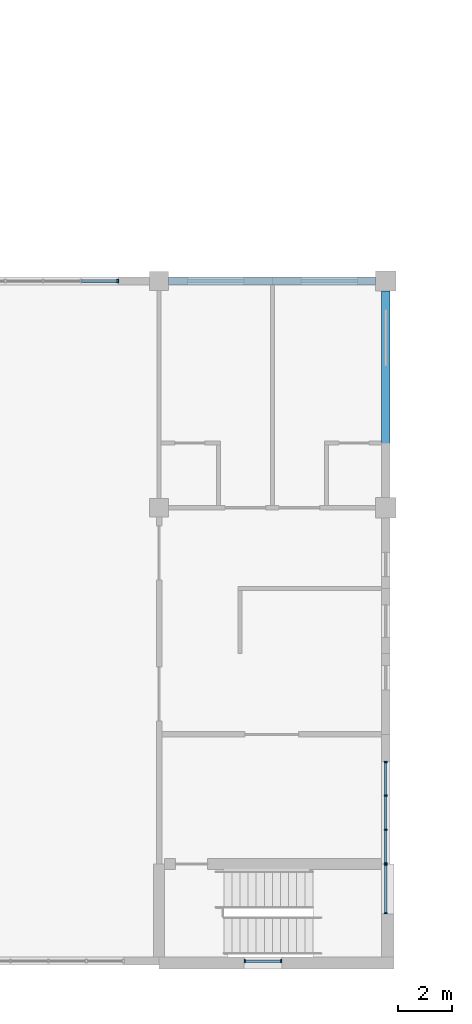
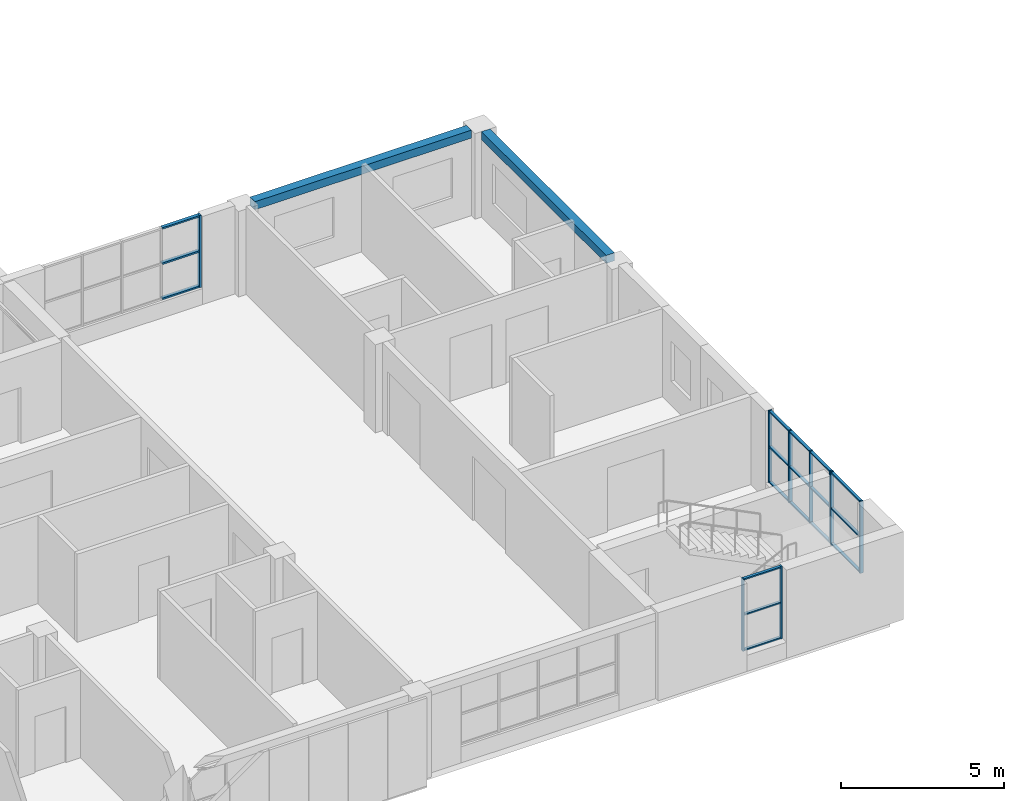
# One storey, part 5 of 48: 27 members, 2 beams, 4 elements without a shape of their own.
"""IFC4 building model written with IfcOpenShell, lengths in metres."""

from ifc_helpers import new_model, si_unit, direction, frame, origin, origin_2d, place, context, subcontext, project, spatial, rectangle, extrude, material, material_profile, profile_set, type_object, element, aggregate, save


model = new_model("IFC4")

# Units and contexts
model_context = context("Model", 3, precision=1e-05, world=origin(), true_north=direction((0.0, 1.0)))
body_context = subcontext(model_context, "Body", "Model", "MODEL_VIEW")
ifc_project = project(units=[si_unit("LENGTHUNIT", "METRE"), si_unit("AREAUNIT", "SQUARE_METRE"), si_unit("VOLUMEUNIT", "CUBIC_METRE"), si_unit("PLANEANGLEUNIT", "RADIAN"), si_unit("MASSUNIT", "GRAM", prefix="KILO")], contexts=[model_context])

# Site, building, storey
site_placement = place(None, origin())
site = spatial("IfcSite", under=ifc_project, at=site_placement, CompositionType="ELEMENT")
building_placement = place(site_placement, origin())
building = spatial("IfcBuilding", under=site, at=building_placement, Name="Yavir Park General Hospital", CompositionType="ELEMENT")
storey_placement = place(building_placement, frame((0.0, 0.0, 26.10009765625)))
storey = spatial("IfcBuildingStorey", under=building, at=storey_placement, Name="L06", CompositionType="ELEMENT", Elevation=26.10009765625)

# Curtain wall, members
ifc_material_1 = material(Name="Aluminium curtain wall frame with insulated glazing", Category="aluminium")
curtain_wall_type_1 = type_object("IfcCurtainWallType", Name="Day room pocket glazing, ward floors, 2700 high, 1400 module", PredefinedType="NOTDEFINED", material=ifc_material_1)
curtain_wall_1_placement = place(storey_placement, origin())
curtain_wall_1 = element("IfcCurtainWall", 1, at=curtain_wall_1_placement, inside=storey, type_object=curtain_wall_type_1, Name="CW65 L06-010", PredefinedType="NOTDEFINED")
ifc_material_2 = material(Name="Aluminium", Category="aluminium")
ifc_material_profile_1 = material_profile(ifc_material_2, rectangle(XDim=0.139892578125, YDim=0.06005859375, at=origin_2d()), Name="AL 60x140")
ifc_profile_set_1 = profile_set([ifc_material_profile_1], Name="Aluminium")
member_type_1 = type_object("IfcMemberType", Name="Day room pocket glazing, ward floors, 2700 high mullion 60 x 140", PredefinedType="MULLION", material=ifc_profile_set_1)
member_1_placement = place(storey_placement, frame((32.070068359375, 25.199951171875, 0.599853515625), z_axis=(0.0, 0.0, 1.0), x_axis=(0.0, 1.0, 0.0)))
member_1 = element("IfcMember", 2, at=member_1_placement, type_object=member_type_1, Name="CW65 mullion 5", PredefinedType="MULLION", context=body_context, shape_type="SweptSolid", body=[
    extrude(rectangle(XDim=0.139892578125, YDim=0.06005859375, at=origin_2d()), origin(), (0.0, 0.0, 1.0), 2.699951171875),
])
ifc_material_3 = material(Name="Aluminium", Category="aluminium")
ifc_material_profile_2 = material_profile(ifc_material_3, rectangle(XDim=0.1201171875, YDim=0.06005859375, at=origin_2d()), Name="AL 120x60")
ifc_profile_set_2 = profile_set([ifc_material_profile_2], Name="Aluminium")
member_type_2 = type_object("IfcMemberType", Name="Day room pocket glazing, ward floors, 2700 high transom 60 x 120", PredefinedType="MULLION", material=ifc_profile_set_2)
member_2_placement = place(storey_placement, frame((30.72998046875, 25.199951171875, 0.6298828125), z_axis=(1.0, 0.0, 0.0), x_axis=(0.0, 1.0, 0.0)))
member_2 = element("IfcMember", 3, at=member_2_placement, type_object=member_type_2, Name="CW65 transom 4.1", PredefinedType="MULLION", context=body_context, shape_type="SweptSolid", body=[
    extrude(rectangle(XDim=0.1201171875, YDim=0.06005859375, at=origin_2d()), origin(), (0.0, 0.0, 1.0), 1.31005859375),
])
member_3_placement = place(storey_placement, frame((30.72998046875, 25.199951171875, 1.949951171875), z_axis=(1.0, 0.0, 0.0), x_axis=(0.0, 1.0, 0.0)))
member_3 = element("IfcMember", 4, at=member_3_placement, type_object=member_type_2, Name="CW65 transom 4.2", PredefinedType="MULLION", context=body_context, shape_type="SweptSolid", body=[
    extrude(rectangle(XDim=0.1201171875, YDim=0.06005859375, at=origin_2d()), origin(), (0.0, 0.0, 1.0), 1.31005859375),
])
member_4_placement = place(storey_placement, frame((30.72998046875, 25.199951171875, 3.27001953125), z_axis=(1.0, 0.0, 0.0), x_axis=(0.0, 1.0, 0.0)))
member_4 = element("IfcMember", 5, at=member_4_placement, type_object=member_type_2, Name="CW65 transom 4.3", PredefinedType="MULLION", context=body_context, shape_type="SweptSolid", body=[
    extrude(rectangle(XDim=0.1201171875, YDim=0.06005859375, at=origin_2d()), origin(), (0.0, 0.0, 1.0), 1.31005859375),
])
aggregate(curtain_wall_1, [member_1, member_2, member_3, member_4])

# Beams
ifc_material_4 = material(Name="Concrete C35/45", Category="concrete")
ifc_material_profile_3 = material_profile(ifc_material_4, rectangle(XDim=0.300048828125, YDim=0.300048828125, at=origin_2d()), Name="RC300x300")
ifc_profile_set_3 = profile_set([ifc_material_profile_3], Name="Concrete C35/45")
beam_type = type_object("IfcBeamType", Name="RC BEAM 300x300 edge beam", PredefinedType="BEAM", material=ifc_profile_set_3)
beam_1_placement = place(storey_placement, frame((33.949951171875, 25.199951171875, 3.0498046875), z_axis=(1.0, 0.0, 0.0), x_axis=(0.0, 1.0, 0.0)))
element("IfcBeam", 6, at=beam_1_placement, inside=storey, type_object=beam_type, Name="B:EDGE:L06:011", PredefinedType="BEAM", context=body_context, shape_type="SweptSolid", body=[
    extrude(rectangle(XDim=0.300048828125, YDim=0.300048828125, at=origin_2d()), origin(), (0.0, 0.0, 1.0), 7.675048828125),
])
beam_2_placement = place(storey_placement, frame((42.0, 17.175048828125, 3.0498046875), z_axis=(0.0, 1.0, 0.0), x_axis=(-1.0, 0.0, 0.0)))
element("IfcBeam", 7, at=beam_2_placement, inside=storey, type_object=beam_type, Name="B:EDGE:L06:035", PredefinedType="BEAM", context=body_context, shape_type="SweptSolid", body=[
    extrude(rectangle(XDim=0.300048828125, YDim=0.300048828125, at=origin_2d()), origin(), (0.0, 0.0, 1.0), 7.64990234375),
])

# Curtain wall, members
ifc_material_5 = material(Name="Aluminium curtain wall frame with insulated glazing", Category="aluminium")
curtain_wall_type_2 = type_object("IfcCurtainWallType", Name="Stair light slot, ward floors, 2700 high, 1400 module", PredefinedType="NOTDEFINED", material=ifc_material_5)
curtain_wall_2_placement = place(storey_placement, origin())
curtain_wall_2 = element("IfcCurtainWall", 8, at=curtain_wall_2_placement, inside=storey, type_object=curtain_wall_type_2, Name="CW64 L06-003", PredefinedType="NOTDEFINED")
ifc_material_6 = material(Name="Aluminium", Category="aluminium")
ifc_material_profile_4 = material_profile(ifc_material_6, rectangle(XDim=0.1201171875, YDim=0.050048828125, at=origin_2d()), Name="AL 50x120")
ifc_profile_set_4 = profile_set([ifc_material_profile_4], Name="Aluminium")
member_type_3 = type_object("IfcMemberType", Name="Stair light slot, ward floors, 2700 high mullion 50 x 120", PredefinedType="MULLION", material=ifc_profile_set_4)
member_5_placement = place(storey_placement, frame((36.77490234375, 0.0, 0.599853515625), z_axis=(0.0, 0.0, 1.0), x_axis=(0.0, 1.0, 0.0)))
member_5 = element("IfcMember", 9, at=member_5_placement, type_object=member_type_3, Name="CW64 mullion 1", PredefinedType="MULLION", context=body_context, shape_type="SweptSolid", body=[
    extrude(rectangle(XDim=0.1201171875, YDim=0.050048828125, at=origin_2d()), origin(), (0.0, 0.0, 1.0), 2.699951171875),
])
member_6_placement = place(storey_placement, frame((38.125, 0.0, 0.599853515625), z_axis=(0.0, 0.0, 1.0), x_axis=(0.0, 1.0, 0.0)))
member_6 = element("IfcMember", 10, at=member_6_placement, type_object=member_type_3, Name="CW64 mullion 2", PredefinedType="MULLION", context=body_context, shape_type="SweptSolid", body=[
    extrude(rectangle(XDim=0.1201171875, YDim=0.050048828125, at=origin_2d()), origin(), (0.0, 0.0, 1.0), 2.699951171875),
])

curtain_wall_3_placement = place(storey_placement, origin())
curtain_wall_3 = element("IfcCurtainWall", 11, at=curtain_wall_3_placement, inside=storey, type_object=curtain_wall_type_2, Name="CW64 L06-027", PredefinedType="NOTDEFINED")
member_7_placement = place(storey_placement, frame((42.0, 1.77490234375, 0.599853515625), z_axis=(0.0, 0.0, 1.0), x_axis=(-1.0, 0.0, 0.0)))
member_7 = element("IfcMember", 12, at=member_7_placement, type_object=member_type_3, Name="CW64 mullion 1", PredefinedType="MULLION", context=body_context, shape_type="SweptSolid", body=[
    extrude(rectangle(XDim=0.1201171875, YDim=0.050048828125, at=origin_2d()), origin(), (0.0, 0.0, 1.0), 2.699951171875),
])
member_8_placement = place(storey_placement, frame((42.0, 3.574951171875, 0.599853515625), z_axis=(0.0, 0.0, 1.0), x_axis=(-1.0, 0.0, 0.0)))
member_8 = element("IfcMember", 13, at=member_8_placement, type_object=member_type_3, Name="CW64 mullion 2", PredefinedType="MULLION", context=body_context, shape_type="SweptSolid", body=[
    extrude(rectangle(XDim=0.1201171875, YDim=0.050048828125, at=origin_2d()), origin(), (0.0, 0.0, 1.0), 2.699951171875),
])

# Member
ifc_material_7 = material(Name="Aluminium", Category="aluminium")
ifc_material_profile_5 = material_profile(ifc_material_7, rectangle(XDim=0.10009765625, YDim=0.050048828125, at=origin_2d()), Name="AL 100x50")
ifc_profile_set_5 = profile_set([ifc_material_profile_5], Name="Aluminium")
member_type_4 = type_object("IfcMemberType", Name="Stair light slot, ward floors, 2700 high transom 50 x 100", PredefinedType="MULLION", material=ifc_profile_set_5)
member_9_placement = place(storey_placement, frame((36.800048828125, 0.0, 0.625), z_axis=(1.0, 0.0, 0.0), x_axis=(0.0, 1.0, 0.0)))
member_9 = element("IfcMember", 14, at=member_9_placement, type_object=member_type_4, Name="CW64 transom 1.1", PredefinedType="MULLION", context=body_context, shape_type="SweptSolid", body=[
    extrude(rectangle(XDim=0.10009765625, YDim=0.050048828125, at=origin_2d()), origin(), (0.0, 0.0, 1.0), 1.300048828125),
])

member_10_placement = place(storey_placement, frame((36.800048828125, 0.0, 1.949951171875), z_axis=(1.0, 0.0, 0.0), x_axis=(0.0, 1.0, 0.0)))
member_10 = element("IfcMember", 15, at=member_10_placement, type_object=member_type_4, Name="CW64 transom 1.2", PredefinedType="MULLION", context=body_context, shape_type="SweptSolid", body=[
    extrude(rectangle(XDim=0.10009765625, YDim=0.050048828125, at=origin_2d()), origin(), (0.0, 0.0, 1.0), 1.300048828125),
])

member_11_placement = place(storey_placement, frame((36.800048828125, 0.0, 3.27490234375), z_axis=(1.0, 0.0, 0.0), x_axis=(0.0, 1.0, 0.0)))
member_11 = element("IfcMember", 16, at=member_11_placement, type_object=member_type_4, Name="CW64 transom 1.3", PredefinedType="MULLION", context=body_context, shape_type="SweptSolid", body=[
    extrude(rectangle(XDim=0.10009765625, YDim=0.050048828125, at=origin_2d()), origin(), (0.0, 0.0, 1.0), 1.300048828125),
])

aggregate(curtain_wall_2, [member_5, member_6, member_9, member_10, member_11])

member_12_placement = place(storey_placement, frame((42.0, 1.800048828125, 0.625), z_axis=(0.0, 1.0, 0.0), x_axis=(-1.0, 0.0, 0.0)))
member_12 = element("IfcMember", 17, at=member_12_placement, type_object=member_type_4, Name="CW64 transom 1.1", PredefinedType="MULLION", context=body_context, shape_type="SweptSolid", body=[
    extrude(rectangle(XDim=0.10009765625, YDim=0.050048828125, at=origin_2d()), origin(), (0.0, 0.0, 1.0), 1.75),
])

member_13_placement = place(storey_placement, frame((42.0, 1.800048828125, 1.949951171875), z_axis=(0.0, 1.0, 0.0), x_axis=(-1.0, 0.0, 0.0)))
member_13 = element("IfcMember", 18, at=member_13_placement, type_object=member_type_4, Name="CW64 transom 1.2", PredefinedType="MULLION", context=body_context, shape_type="SweptSolid", body=[
    extrude(rectangle(XDim=0.10009765625, YDim=0.050048828125, at=origin_2d()), origin(), (0.0, 0.0, 1.0), 1.75),
])

member_14_placement = place(storey_placement, frame((42.0, 1.800048828125, 3.27490234375), z_axis=(0.0, 1.0, 0.0), x_axis=(-1.0, 0.0, 0.0)))
member_14 = element("IfcMember", 19, at=member_14_placement, type_object=member_type_4, Name="CW64 transom 1.3", PredefinedType="MULLION", context=body_context, shape_type="SweptSolid", body=[
    extrude(rectangle(XDim=0.10009765625, YDim=0.050048828125, at=origin_2d()), origin(), (0.0, 0.0, 1.0), 1.75),
])

aggregate(curtain_wall_3, [member_7, member_8, member_12, member_13, member_14])

# Curtain wall, members
ifc_material_8 = material(Name="Aluminium curtain wall frame with insulated glazing", Category="aluminium")
curtain_wall_type_3 = type_object("IfcCurtainWallType", Name="Ward corridor end glazing, 2700 high, 1400 module", PredefinedType="NOTDEFINED", material=ifc_material_8)
curtain_wall_4_placement = place(storey_placement, origin())
curtain_wall_4 = element("IfcCurtainWall", 20, at=curtain_wall_4_placement, inside=storey, type_object=curtain_wall_type_3, Name="CW66 L06-028", PredefinedType="NOTDEFINED")
ifc_material_9 = material(Name="Aluminium", Category="aluminium")
ifc_material_profile_6 = material_profile(ifc_material_9, rectangle(XDim=0.1201171875, YDim=0.050048828125, at=origin_2d()), Name="AL 50x120")
ifc_profile_set_6 = profile_set([ifc_material_profile_6], Name="Aluminium")
member_type_5 = type_object("IfcMemberType", Name="Ward corridor end glazing, 2700 high mullion 50 x 120", PredefinedType="MULLION", material=ifc_profile_set_6)
member_15_placement = place(storey_placement, frame((42.0, 3.625, 0.599853515625), z_axis=(0.0, 0.0, 1.0), x_axis=(-1.0, 0.0, 0.0)))
member_15 = element("IfcMember", 21, at=member_15_placement, type_object=member_type_5, Name="CW66 mullion 1", PredefinedType="MULLION", context=body_context, shape_type="SweptSolid", body=[
    extrude(rectangle(XDim=0.1201171875, YDim=0.050048828125, at=origin_2d()), origin(), (0.0, 0.0, 1.0), 2.699951171875),
])
member_16_placement = place(storey_placement, frame((42.0, 4.86669921875, 0.599853515625), z_axis=(0.0, 0.0, 1.0), x_axis=(-1.0, 0.0, 0.0)))
member_16 = element("IfcMember", 22, at=member_16_placement, type_object=member_type_5, Name="CW66 mullion 2", PredefinedType="MULLION", context=body_context, shape_type="SweptSolid", body=[
    extrude(rectangle(XDim=0.1201171875, YDim=0.050048828125, at=origin_2d()), origin(), (0.0, 0.0, 1.0), 2.699951171875),
])
member_17_placement = place(storey_placement, frame((42.0, 6.13330078125, 0.599853515625), z_axis=(0.0, 0.0, 1.0), x_axis=(-1.0, 0.0, 0.0)))
member_17 = element("IfcMember", 23, at=member_17_placement, type_object=member_type_5, Name="CW66 mullion 3", PredefinedType="MULLION", context=body_context, shape_type="SweptSolid", body=[
    extrude(rectangle(XDim=0.1201171875, YDim=0.050048828125, at=origin_2d()), origin(), (0.0, 0.0, 1.0), 2.699951171875),
])
member_18_placement = place(storey_placement, frame((42.0, 7.375, 0.599853515625), z_axis=(0.0, 0.0, 1.0), x_axis=(-1.0, 0.0, 0.0)))
member_18 = element("IfcMember", 24, at=member_18_placement, type_object=member_type_5, Name="CW66 mullion 4", PredefinedType="MULLION", context=body_context, shape_type="SweptSolid", body=[
    extrude(rectangle(XDim=0.1201171875, YDim=0.050048828125, at=origin_2d()), origin(), (0.0, 0.0, 1.0), 2.699951171875),
])
ifc_material_10 = material(Name="Aluminium", Category="aluminium")
ifc_material_profile_7 = material_profile(ifc_material_10, rectangle(XDim=0.10009765625, YDim=0.050048828125, at=origin_2d()), Name="AL 100x50")
ifc_profile_set_7 = profile_set([ifc_material_profile_7], Name="Aluminium")
member_type_6 = type_object("IfcMemberType", Name="Ward corridor end glazing, 2700 high transom 50 x 100", PredefinedType="MULLION", material=ifc_profile_set_7)
member_19_placement = place(storey_placement, frame((42.0, 3.64990234375, 0.625), z_axis=(0.0, 1.0, 0.0), x_axis=(-1.0, 0.0, 0.0)))
member_19 = element("IfcMember", 25, at=member_19_placement, type_object=member_type_6, Name="CW66 transom 1.1", PredefinedType="MULLION", context=body_context, shape_type="SweptSolid", body=[
    extrude(rectangle(XDim=0.10009765625, YDim=0.050048828125, at=origin_2d()), origin(), (0.0, 0.0, 1.0), 1.191650390625),
])
member_20_placement = place(storey_placement, frame((42.0, 3.64990234375, 1.949951171875), z_axis=(0.0, 1.0, 0.0), x_axis=(-1.0, 0.0, 0.0)))
member_20 = element("IfcMember", 26, at=member_20_placement, type_object=member_type_6, Name="CW66 transom 1.2", PredefinedType="MULLION", context=body_context, shape_type="SweptSolid", body=[
    extrude(rectangle(XDim=0.10009765625, YDim=0.050048828125, at=origin_2d()), origin(), (0.0, 0.0, 1.0), 1.191650390625),
])
member_21_placement = place(storey_placement, frame((42.0, 3.64990234375, 3.27490234375), z_axis=(0.0, 1.0, 0.0), x_axis=(-1.0, 0.0, 0.0)))
member_21 = element("IfcMember", 27, at=member_21_placement, type_object=member_type_6, Name="CW66 transom 1.3", PredefinedType="MULLION", context=body_context, shape_type="SweptSolid", body=[
    extrude(rectangle(XDim=0.10009765625, YDim=0.050048828125, at=origin_2d()), origin(), (0.0, 0.0, 1.0), 1.191650390625),
])
member_22_placement = place(storey_placement, frame((42.0, 4.8916015625, 0.625), z_axis=(0.0, 1.0, 0.0), x_axis=(-1.0, 0.0, 0.0)))
member_22 = element("IfcMember", 28, at=member_22_placement, type_object=member_type_6, Name="CW66 transom 2.1", PredefinedType="MULLION", context=body_context, shape_type="SweptSolid", body=[
    extrude(rectangle(XDim=0.10009765625, YDim=0.050048828125, at=origin_2d()), origin(), (0.0, 0.0, 1.0), 1.216796875),
])
member_23_placement = place(storey_placement, frame((42.0, 4.8916015625, 1.949951171875), z_axis=(0.0, 1.0, 0.0), x_axis=(-1.0, 0.0, 0.0)))
member_23 = element("IfcMember", 29, at=member_23_placement, type_object=member_type_6, Name="CW66 transom 2.2", PredefinedType="MULLION", context=body_context, shape_type="SweptSolid", body=[
    extrude(rectangle(XDim=0.10009765625, YDim=0.050048828125, at=origin_2d()), origin(), (0.0, 0.0, 1.0), 1.216796875),
])
member_24_placement = place(storey_placement, frame((42.0, 4.8916015625, 3.27490234375), z_axis=(0.0, 1.0, 0.0), x_axis=(-1.0, 0.0, 0.0)))
member_24 = element("IfcMember", 30, at=member_24_placement, type_object=member_type_6, Name="CW66 transom 2.3", PredefinedType="MULLION", context=body_context, shape_type="SweptSolid", body=[
    extrude(rectangle(XDim=0.10009765625, YDim=0.050048828125, at=origin_2d()), origin(), (0.0, 0.0, 1.0), 1.216796875),
])
member_25_placement = place(storey_placement, frame((42.0, 6.158447265625, 0.625), z_axis=(0.0, 1.0, 0.0), x_axis=(-1.0, 0.0, 0.0)))
member_25 = element("IfcMember", 31, at=member_25_placement, type_object=member_type_6, Name="CW66 transom 3.1", PredefinedType="MULLION", context=body_context, shape_type="SweptSolid", body=[
    extrude(rectangle(XDim=0.10009765625, YDim=0.050048828125, at=origin_2d()), origin(), (0.0, 0.0, 1.0), 1.191650390625),
])
member_26_placement = place(storey_placement, frame((42.0, 6.158447265625, 1.949951171875), z_axis=(0.0, 1.0, 0.0), x_axis=(-1.0, 0.0, 0.0)))
member_26 = element("IfcMember", 32, at=member_26_placement, type_object=member_type_6, Name="CW66 transom 3.2", PredefinedType="MULLION", context=body_context, shape_type="SweptSolid", body=[
    extrude(rectangle(XDim=0.10009765625, YDim=0.050048828125, at=origin_2d()), origin(), (0.0, 0.0, 1.0), 1.191650390625),
])
member_27_placement = place(storey_placement, frame((42.0, 6.158447265625, 3.27490234375), z_axis=(0.0, 1.0, 0.0), x_axis=(-1.0, 0.0, 0.0)))
member_27 = element("IfcMember", 33, at=member_27_placement, type_object=member_type_6, Name="CW66 transom 3.3", PredefinedType="MULLION", context=body_context, shape_type="SweptSolid", body=[
    extrude(rectangle(XDim=0.10009765625, YDim=0.050048828125, at=origin_2d()), origin(), (0.0, 0.0, 1.0), 1.191650390625),
])
aggregate(curtain_wall_4, [member_15, member_16, member_17, member_18, member_19, member_20, member_21, member_22, member_23, member_24, member_25, member_26, member_27])

save(model, "model.ifc")
